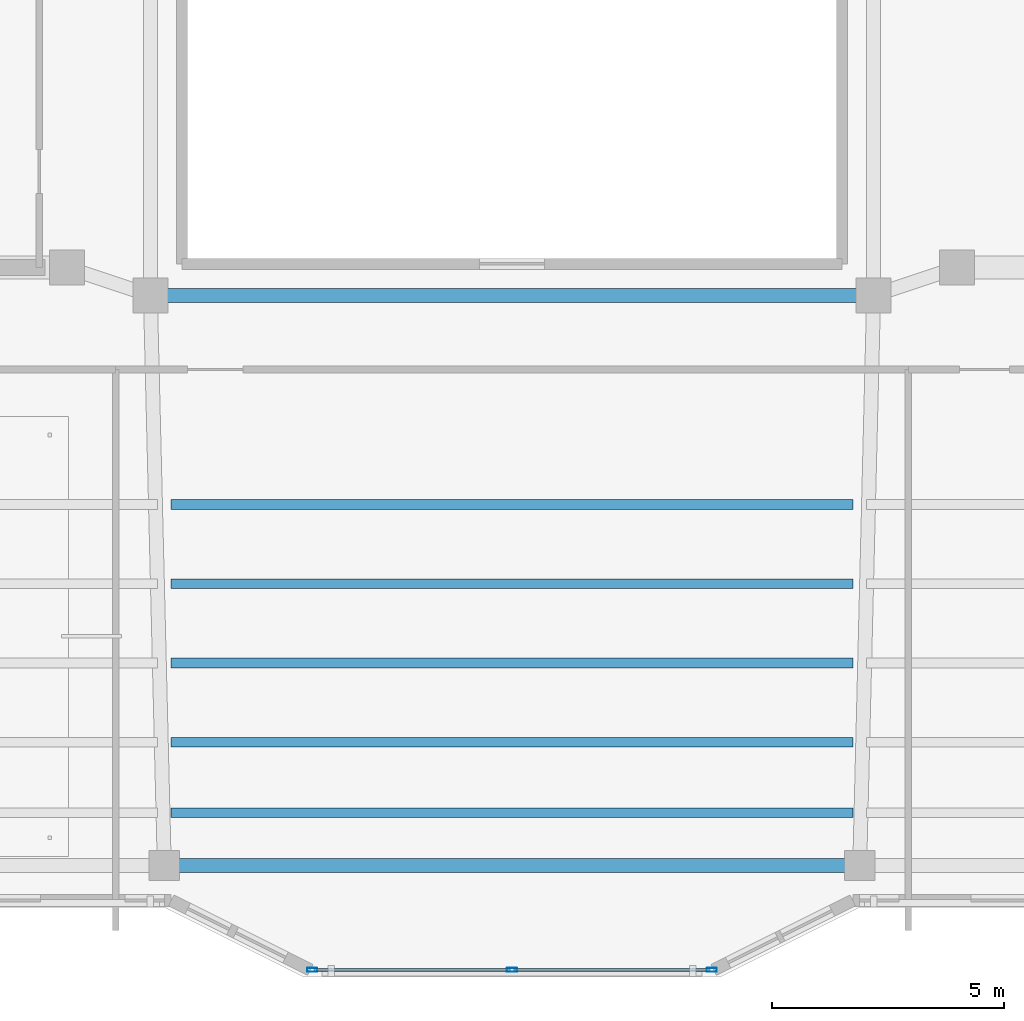
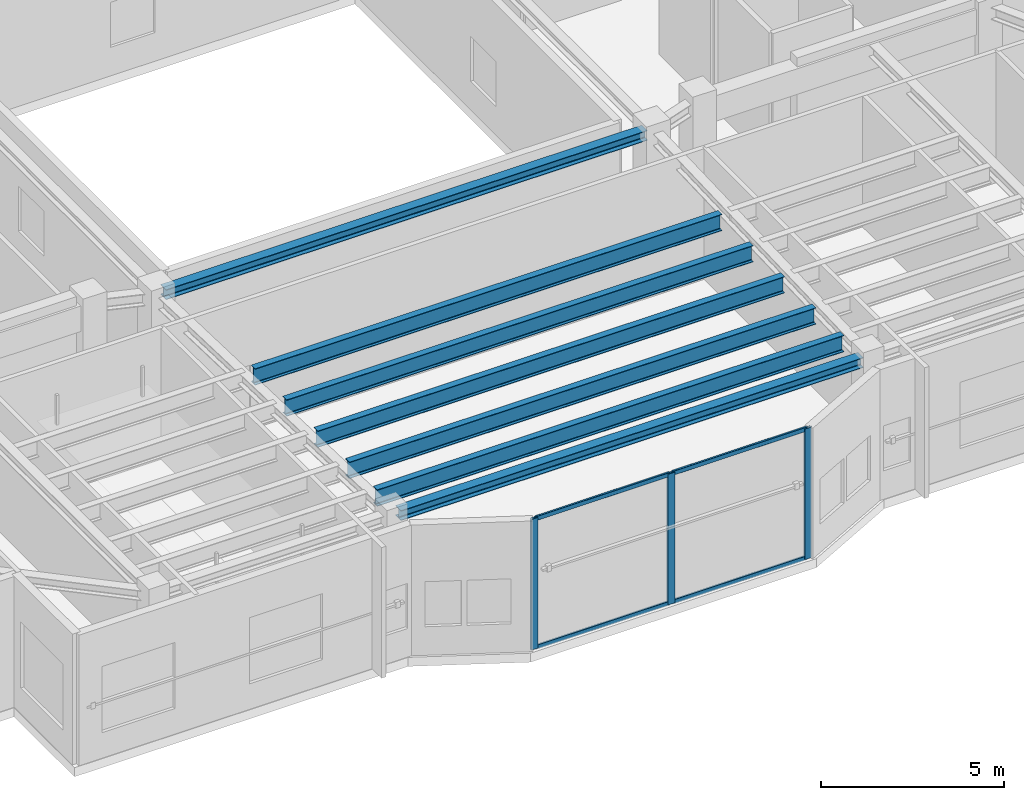
# One storey, part 3 of 25: 7 beams, 7 members, 1 element without a shape of its own.
"""IFC4 building model written with IfcOpenShell, lengths in metres."""

from ifc_helpers import new_model, si_unit, direction, frame, origin, origin_2d, place, context, subcontext, project, spatial, hollow_rectangle, i_section, extrude, material, layer, layer_set, material_profile, profile_set, type_object, element, aggregate, save


model = new_model("IFC4")

# Units and contexts
model_context = context("Model", 3, precision=1e-05, world=origin(), true_north=direction((0.0, 1.0)))
body_context = subcontext(model_context, "Body", "Model", "MODEL_VIEW")
ifc_project = project(units=[si_unit("LENGTHUNIT", "METRE"), si_unit("AREAUNIT", "SQUARE_METRE"), si_unit("VOLUMEUNIT", "CUBIC_METRE"), si_unit("PLANEANGLEUNIT", "RADIAN"), si_unit("MASSUNIT", "GRAM", prefix="KILO")], contexts=[model_context])

# Site, building, storey
site_placement = place(None, origin())
site = spatial("IfcSite", under=ifc_project, at=site_placement, CompositionType="ELEMENT")
building_placement = place(site_placement, origin())
building = spatial("IfcBuilding", under=site, at=building_placement, Name="Tarnavaz Court Tower", CompositionType="ELEMENT")
storey_placement = place(building_placement, frame((0.0, 0.0, 271.64990234375)))
storey = spatial("IfcBuildingStorey", under=building, at=storey_placement, Name="L74", CompositionType="ELEMENT", Elevation=271.64990234375)

# Beams
ifc_material_1 = material(Name="Steel S355", Category="steel")
ifc_material_profile_1 = material_profile(ifc_material_1, i_section(OverallWidth=0.2099609375, OverallDepth=0.550048828125, WebThickness=0.010986328125, FlangeThickness=0.01708984375, FilletRadius=0.02392578125, at=origin_2d()), Name="IPE 550")
ifc_profile_set_1 = profile_set([ifc_material_profile_1], Name="Steel S355")
beam_type_1 = type_object("IfcBeamType", Name="BM-J-IPE550", PredefinedType="JOIST", material=ifc_profile_set_1)
for number, where, z_axis, x_axis, name in (
    (1, (-7.35009765625, -12.31005859375, 4.0751953125), (1.0, 0.0, 0.0), (0.0, 1.0, 0.0), "L74 Beam JS1-2"),
    (2, (-7.35009765625, -14.02001953125, 4.0751953125), (1.0, 0.0, 0.0), (0.0, 1.0, 0.0), "L74 Beam JS2-2"),
    (3, (-7.35009765625, -15.72998046875, 4.0751953125), (1.0, 0.0, 0.0), (0.0, 1.0, 0.0), "L74 Beam JS3-2"),
    (4, (-7.35009765625, -17.43994140625, 4.0751953125), (1.0, 0.0, 0.0), (0.0, 1.0, 0.0), "L74 Beam JS4-2"),
    (5, (-7.35009765625, -18.9599609375, 4.0751953125), (1.0, 0.0, 0.0), (0.0, 1.0, 0.0), "L74 Beam JS5-2"),
):
    element("IfcBeam", number, at=place(storey_placement, frame(where, z_axis=z_axis, x_axis=x_axis)), inside=storey, type_object=beam_type_1, Name=name, PredefinedType="JOIST", context=body_context, shape_type="SweptSolid", body=[
        extrude(i_section(OverallWidth=0.2099609375, OverallDepth=0.550048828125, WebThickness=0.010986328125, FlangeThickness=0.01708984375, FilletRadius=0.02392578125, at=origin_2d()), origin(), (0.0, 0.0, 1.0), 14.7001953125),
    ])
ifc_material_profile_2 = material_profile(ifc_material_1, i_section(OverallWidth=0.300048828125, OverallDepth=0.330078125, WebThickness=0.009521484375, FlangeThickness=0.0166015625, FilletRadius=0.027099609375, at=origin_2d()), Name="HEA 340")
ifc_profile_set_2 = profile_set([ifc_material_profile_2], Name="Steel S355")
beam_type_2 = type_object("IfcBeamType", Name="BM-SP-HEA340", PredefinedType="BEAM", material=ifc_profile_set_2)
beam_1_placement = place(storey_placement, frame((-7.580078125, -7.800048828125, 4.18505859375), z_axis=(1.0, 0.0, 0.0), x_axis=(0.0, 1.0, 0.0)))
element("IfcBeam", 6, at=beam_1_placement, inside=storey, type_object=beam_type_2, Name="L74 Beam IN-IW-SW-IW-SE", PredefinedType="BEAM", context=body_context, shape_type="SweptSolid", body=[
    extrude(i_section(OverallWidth=0.300048828125, OverallDepth=0.330078125, WebThickness=0.009521484375, FlangeThickness=0.0166015625, FilletRadius=0.027099609375, at=origin_2d()), origin(), (0.0, 0.0, 1.0), 15.16015625),
])
beam_2_placement = place(storey_placement, frame((-7.280029296875, -20.10009765625, 4.18505859375), z_axis=(1.0, 0.0, 0.0), x_axis=(0.0, 1.0, 0.0)))
element("IfcBeam", 7, at=beam_2_placement, inside=storey, type_object=beam_type_2, Name="L74 Beam PR-PS-2-PS-3", PredefinedType="BEAM", context=body_context, shape_type="SweptSolid", body=[
    extrude(i_section(OverallWidth=0.300048828125, OverallDepth=0.330078125, WebThickness=0.009521484375, FlangeThickness=0.0166015625, FilletRadius=0.027099609375, at=origin_2d()), origin(), (0.0, 0.0, 1.0), 14.56005859375),
])

# Curtain wall, members
ifc_material_2 = material(Name="Anodised Aluminium 6063-T6 and Solar Low-E Glazing", Category="aluminium")
ifc_layer = layer(ifc_material_2, 0.2099609375)
ifc_layer_set = layer_set([ifc_layer], Name="Anodised Aluminium 6063-T6 and Solar Low-E Glazing")
curtain_wall_type = type_object("IfcCurtainWallType", Name="CW-SYS-06", PredefinedType="NOTDEFINED", material=ifc_layer_set)
curtain_wall_placement = place(storey_placement, origin())
curtain_wall = element("IfcCurtainWall", 8, at=curtain_wall_placement, inside=storey, type_object=curtain_wall_type, Name="L74 Observation Curtain Wall 17", PredefinedType="NOTDEFINED")
ifc_material_3 = material(Name="Anodised Aluminium 6063-T6", Category="aluminium")
ifc_material_profile_3 = material_profile(ifc_material_3, hollow_rectangle(XDim=0.0849609375, YDim=0.219970703125, WallThickness=0.006103515625, InnerFilletRadius=0.006103515625, OuterFilletRadius=0.011962890625, at=origin_2d()), Name="ALU RHS 220X85X6")
ifc_profile_set_3 = profile_set([ifc_material_profile_3], Name="Anodised Aluminium 6063-T6")
member_type_1 = type_object("IfcMemberType", Name="CW-MUL-220", PredefinedType="MULLION", material=ifc_profile_set_3)
member_1_placement = place(storey_placement, frame((4.3076171875, -22.35009765625, 0.0), z_axis=(0.0, 0.0, 1.0), x_axis=(0.0, -1.0, 0.0)))
member_1 = element("IfcMember", 9, at=member_1_placement, type_object=member_type_1, Name="CW mullion 1", PredefinedType="MULLION", context=body_context, shape_type="SweptSolid", body=[
    extrude(hollow_rectangle(XDim=0.0849609375, YDim=0.219970703125, WallThickness=0.006103515625, InnerFilletRadius=0.006103515625, OuterFilletRadius=0.011962890625, at=origin_2d()), origin(), (0.0, 0.0, 1.0), 4.35009765625),
])
member_2_placement = place(storey_placement, frame((0.0, -22.35009765625, 0.0), z_axis=(0.0, 0.0, 1.0), x_axis=(0.0, -1.0, 0.0)))
member_2 = element("IfcMember", 10, at=member_2_placement, type_object=member_type_1, Name="CW mullion 2", PredefinedType="MULLION", context=body_context, shape_type="SweptSolid", body=[
    extrude(hollow_rectangle(XDim=0.0849609375, YDim=0.219970703125, WallThickness=0.006103515625, InnerFilletRadius=0.006103515625, OuterFilletRadius=0.011962890625, at=origin_2d()), origin(), (0.0, 0.0, 1.0), 4.35009765625),
])
member_3_placement = place(storey_placement, frame((-4.3076171875, -22.35009765625, 0.0), z_axis=(0.0, 0.0, 1.0), x_axis=(0.0, -1.0, 0.0)))
member_3 = element("IfcMember", 11, at=member_3_placement, type_object=member_type_1, Name="CW mullion 3", PredefinedType="MULLION", context=body_context, shape_type="SweptSolid", body=[
    extrude(hollow_rectangle(XDim=0.0849609375, YDim=0.219970703125, WallThickness=0.006103515625, InnerFilletRadius=0.006103515625, OuterFilletRadius=0.011962890625, at=origin_2d()), origin(), (0.0, 0.0, 1.0), 4.35009765625),
])
ifc_material_profile_4 = material_profile(ifc_material_3, hollow_rectangle(XDim=0.06494140625, YDim=0.139892578125, WallThickness=0.00390625, InnerFilletRadius=0.00390625, OuterFilletRadius=0.008056640625, at=origin_2d()), Name="ALU RHS 140X65X4")
ifc_profile_set_4 = profile_set([ifc_material_profile_4], Name="Anodised Aluminium 6063-T6")
member_type_2 = type_object("IfcMemberType", Name="CW-TRN-140", PredefinedType="USERDEFINED", material=ifc_profile_set_4)
member_4_placement = place(storey_placement, frame((4.264892578125, -22.35009765625, 0.03271484375), z_axis=(-1.0, 0.0, 0.0), x_axis=(0.0, -1.0, 0.0)))
member_4 = element("IfcMember", 12, at=member_4_placement, type_object=member_type_2, Name="CW transom 1.1", ObjectType="TRANSOM", PredefinedType="USERDEFINED", context=body_context, shape_type="SweptSolid", body=[
    extrude(hollow_rectangle(XDim=0.06494140625, YDim=0.139892578125, WallThickness=0.00390625, InnerFilletRadius=0.00390625, OuterFilletRadius=0.008056640625, at=origin_2d()), origin(), (0.0, 0.0, 1.0), 4.222412109375),
])
member_5_placement = place(storey_placement, frame((4.264892578125, -22.35009765625, 4.317626953125), z_axis=(-1.0, 0.0, 0.0), x_axis=(0.0, -1.0, 0.0)))
member_5 = element("IfcMember", 13, at=member_5_placement, type_object=member_type_2, Name="CW transom 1.2", ObjectType="TRANSOM", PredefinedType="USERDEFINED", context=body_context, shape_type="SweptSolid", body=[
    extrude(hollow_rectangle(XDim=0.06494140625, YDim=0.139892578125, WallThickness=0.00390625, InnerFilletRadius=0.00390625, OuterFilletRadius=0.008056640625, at=origin_2d()), origin(), (0.0, 0.0, 1.0), 4.222412109375),
])
member_6_placement = place(storey_placement, frame((-0.04248046875, -22.35009765625, 0.03271484375), z_axis=(-1.0, 0.0, 0.0), x_axis=(0.0, -1.0, 0.0)))
member_6 = element("IfcMember", 14, at=member_6_placement, type_object=member_type_2, Name="CW transom 2.1", ObjectType="TRANSOM", PredefinedType="USERDEFINED", context=body_context, shape_type="SweptSolid", body=[
    extrude(hollow_rectangle(XDim=0.06494140625, YDim=0.139892578125, WallThickness=0.00390625, InnerFilletRadius=0.00390625, OuterFilletRadius=0.008056640625, at=origin_2d()), origin(), (0.0, 0.0, 1.0), 4.222412109375),
])
member_7_placement = place(storey_placement, frame((-0.04248046875, -22.35009765625, 4.317626953125), z_axis=(-1.0, 0.0, 0.0), x_axis=(0.0, -1.0, 0.0)))
member_7 = element("IfcMember", 15, at=member_7_placement, type_object=member_type_2, Name="CW transom 2.2", ObjectType="TRANSOM", PredefinedType="USERDEFINED", context=body_context, shape_type="SweptSolid", body=[
    extrude(hollow_rectangle(XDim=0.06494140625, YDim=0.139892578125, WallThickness=0.00390625, InnerFilletRadius=0.00390625, OuterFilletRadius=0.008056640625, at=origin_2d()), origin(), (0.0, 0.0, 1.0), 4.222412109375),
])
aggregate(curtain_wall, [member_1, member_2, member_3, member_4, member_5, member_6, member_7])

save(model, "model.ifc")
